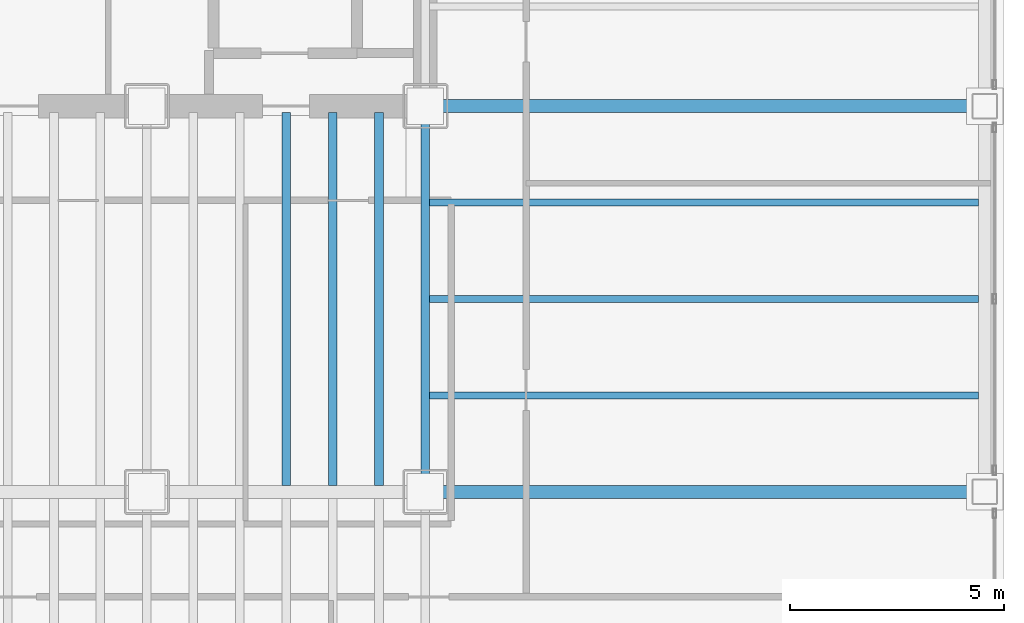
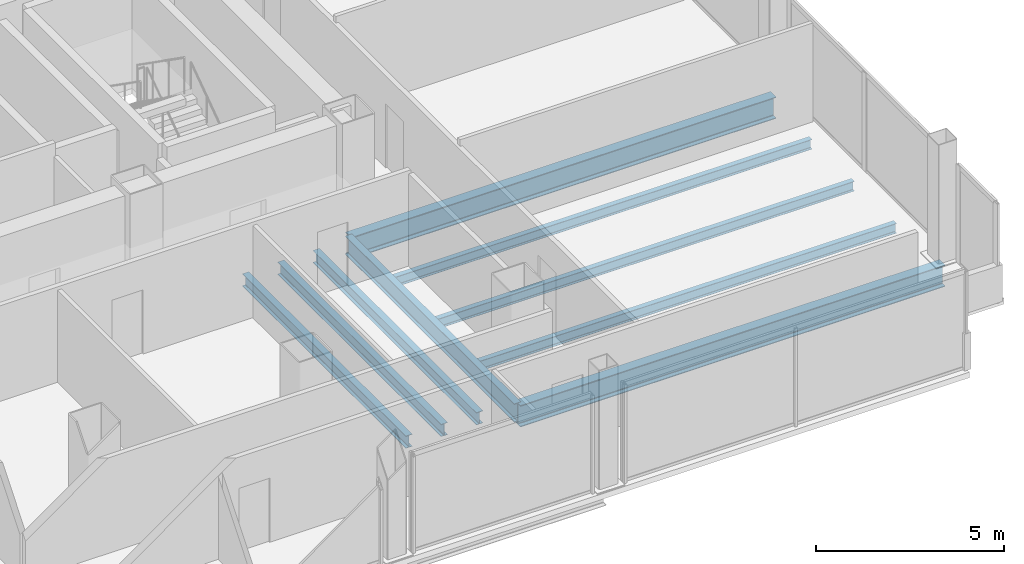
# One storey, part 9 of 20: 9 beams.
"""IFC4 building model written with IfcOpenShell, lengths in metres."""

from ifc_helpers import new_model, si_unit, direction, frame, origin, origin_2d, place, context, subcontext, project, spatial, i_section, extrude, material, material_profile, profile_set, type_object, element, save


model = new_model("IFC4")

# Units and contexts
model_context = context("Model", 3, precision=1e-05, world=origin(), true_north=direction((0.0, 1.0)))
body_context = subcontext(model_context, "Body", "Model", "MODEL_VIEW")
ifc_project = project(units=[si_unit("LENGTHUNIT", "METRE"), si_unit("AREAUNIT", "SQUARE_METRE"), si_unit("VOLUMEUNIT", "CUBIC_METRE"), si_unit("PLANEANGLEUNIT", "RADIAN"), si_unit("MASSUNIT", "GRAM", prefix="KILO")], contexts=[model_context])

# Site, building, storey
site_placement = place(None, origin())
site = spatial("IfcSite", under=ifc_project, at=site_placement, CompositionType="ELEMENT")
building_placement = place(site_placement, origin())
building = spatial("IfcBuilding", under=site, at=building_placement, Name="Noeulbin Bourse Tower", CompositionType="ELEMENT")
storey_placement = place(building_placement, frame((0.0, 0.0, 57.699951171875)))
storey = spatial("IfcBuildingStorey", under=building, at=storey_placement, Name="L14", CompositionType="ELEMENT", Elevation=57.699951171875)

# Beams
ifc_material = material(Name="Steel S355", Category="steel")
ifc_material_profile_1 = material_profile(ifc_material, i_section(OverallWidth=0.199951171875, OverallDepth=0.60009765625, WebThickness=0.010986328125, FlangeThickness=0.01708984375, FilletRadius=0.02197265625, at=origin_2d()), Name="H-600x200x11x17", Category="LoadBearing")
ifc_profile_set_1 = profile_set([ifc_material_profile_1], Name="Steel S355")
beam_type_1 = type_object("IfcBeamType", Name="BM-GRD-600", PredefinedType="USERDEFINED", material=ifc_profile_set_1)
beam_placement = place(storey_placement, frame((44.0, 20.0, -0.47998046875), z_axis=(0.0, 1.0, 0.0), x_axis=(-1.0, 0.0, 0.0)))
element("IfcBeam", 1, at=beam_placement, inside=storey, type_object=beam_type_1, Name="Tower Primary Girder NS L14-5.2", ObjectType="GIRDER", PredefinedType="USERDEFINED", context=body_context, shape_type="SweptSolid", body=[
    extrude(i_section(OverallWidth=0.199951171875, OverallDepth=0.60009765625, WebThickness=0.010986328125, FlangeThickness=0.01708984375, FilletRadius=0.02197265625, at=origin_2d()), origin(), (0.0, 0.0, 1.0), 9.0),
])
ifc_material_profile_2 = material_profile(ifc_material, i_section(OverallWidth=0.300048828125, OverallDepth=0.699951171875, WebThickness=0.012939453125, FlangeThickness=0.02392578125, FilletRadius=0.02392578125, at=origin_2d()), Name="H-700x300x13x24", Category="LoadBearing")
ifc_profile_set_2 = profile_set([ifc_material_profile_2], Name="Steel S355")
beam_type_2 = type_object("IfcBeamType", Name="BM-GRD-700", PredefinedType="USERDEFINED", material=ifc_profile_set_2)
for number, where, z_axis, x_axis, name in (
    (2, (44.0, 20.0, -0.530029296875), (1.0, 0.0, 0.0), (0.0, 1.0, 0.0), "Tower Primary Girder EW L14-1.6"),
    (3, (44.0, 29.0, -0.530029296875), (1.0, 0.0, 0.0), (0.0, 1.0, 0.0), "Tower Primary Girder EW L14-2.6"),
):
    element("IfcBeam", number, at=place(storey_placement, frame(where, z_axis=z_axis, x_axis=x_axis)), inside=storey, type_object=beam_type_2, Name=name, ObjectType="GIRDER", PredefinedType="USERDEFINED", context=body_context, shape_type="SweptSolid", body=[
        extrude(i_section(OverallWidth=0.300048828125, OverallDepth=0.699951171875, WebThickness=0.012939453125, FlangeThickness=0.02392578125, FilletRadius=0.02392578125, at=origin_2d()), origin(), (0.0, 0.0, 1.0), 13.050048828125),
    ])
ifc_material_profile_3 = material_profile(ifc_material, i_section(OverallWidth=0.159912109375, OverallDepth=0.320068359375, WebThickness=0.006591796875, FlangeThickness=0.010009765625, FilletRadius=0.012939453125, at=origin_2d()), Name="H-320x160x6.5x10", Category="LoadBearing")
ifc_profile_set_3 = profile_set([ifc_material_profile_3], Name="Steel S355")
beam_type_3 = type_object("IfcBeamType", Name="BM-JST-320", PredefinedType="JOIST", material=ifc_profile_set_3)
for number, where, z_axis, x_axis, name in (
    (4, (44.10009765625, 22.25, -0.33984375), (1.0, 0.0, 0.0), (0.0, 1.0, 0.0), "Wing Composite Joist L14-E76"),
    (5, (44.10009765625, 24.5, -0.33984375), (1.0, 0.0, 0.0), (0.0, 1.0, 0.0), "Wing Composite Joist L14-E77"),
    (6, (44.10009765625, 26.75, -0.33984375), (1.0, 0.0, 0.0), (0.0, 1.0, 0.0), "Wing Composite Joist L14-E78"),
):
    element("IfcBeam", number, at=place(storey_placement, frame(where, z_axis=z_axis, x_axis=x_axis)), inside=storey, type_object=beam_type_3, Name=name, PredefinedType="JOIST", context=body_context, shape_type="SweptSolid", body=[
        extrude(i_section(OverallWidth=0.159912109375, OverallDepth=0.320068359375, WebThickness=0.006591796875, FlangeThickness=0.010009765625, FilletRadius=0.012939453125, at=origin_2d()), origin(), (0.0, 0.0, 1.0), 12.7998046875),
    ])
ifc_material_profile_4 = material_profile(ifc_material, i_section(OverallWidth=0.199951171875, OverallDepth=0.39990234375, WebThickness=0.008056640625, FlangeThickness=0.012939453125, FilletRadius=0.01611328125, at=origin_2d()), Name="H-400x200x8x13", Category="LoadBearing")
ifc_profile_set_4 = profile_set([ifc_material_profile_4], Name="Steel S355")
beam_type_4 = type_object("IfcBeamType", Name="BM-SEC-400", PredefinedType="BEAM", material=ifc_profile_set_4)
for number, where, z_axis, x_axis, name in (
    (7, (40.75, 20.14990234375, -0.3798828125), (0.0, 1.0, 0.0), (-1.0, 0.0, 0.0), "Tower Composite Joist L14-62"),
    (8, (41.833251953125, 20.14990234375, -0.3798828125), (0.0, 1.0, 0.0), (-1.0, 0.0, 0.0), "Tower Composite Joist L14-65"),
    (9, (42.916748046875, 20.14990234375, -0.3798828125), (0.0, 1.0, 0.0), (-1.0, 0.0, 0.0), "Tower Composite Joist L14-68"),
):
    element("IfcBeam", number, at=place(storey_placement, frame(where, z_axis=z_axis, x_axis=x_axis)), inside=storey, type_object=beam_type_4, Name=name, PredefinedType="BEAM", context=body_context, shape_type="SweptSolid", body=[
        extrude(i_section(OverallWidth=0.199951171875, OverallDepth=0.39990234375, WebThickness=0.008056640625, FlangeThickness=0.012939453125, FilletRadius=0.01611328125, at=origin_2d()), origin(), (0.0, 0.0, 1.0), 8.7001953125),
    ])

save(model, "model.ifc")
